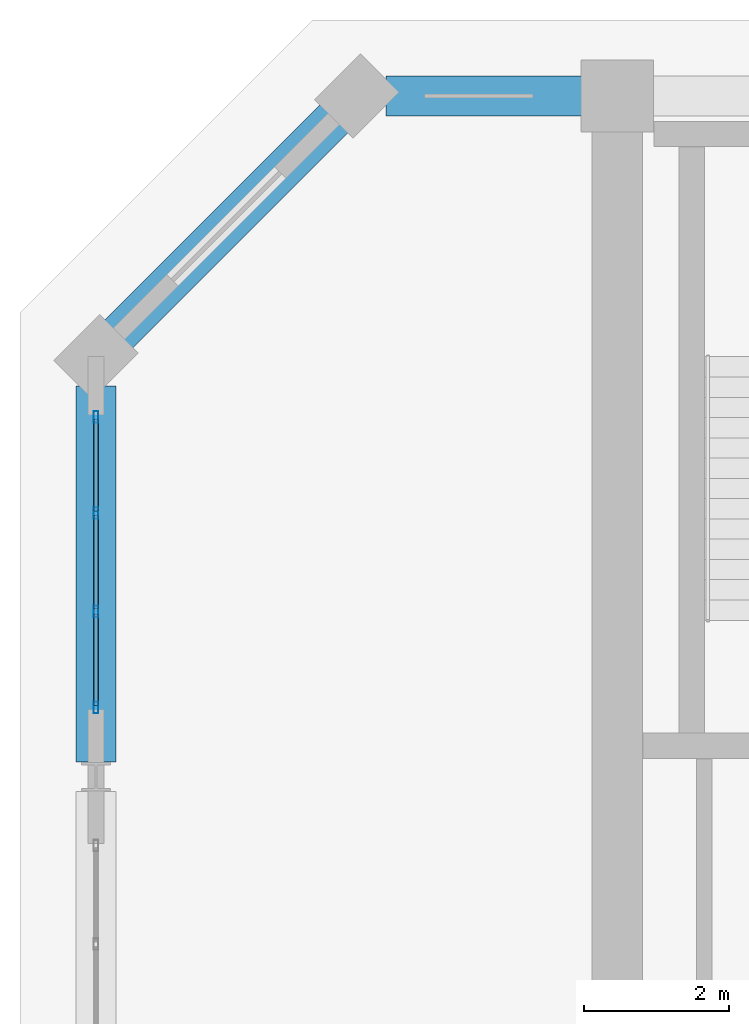
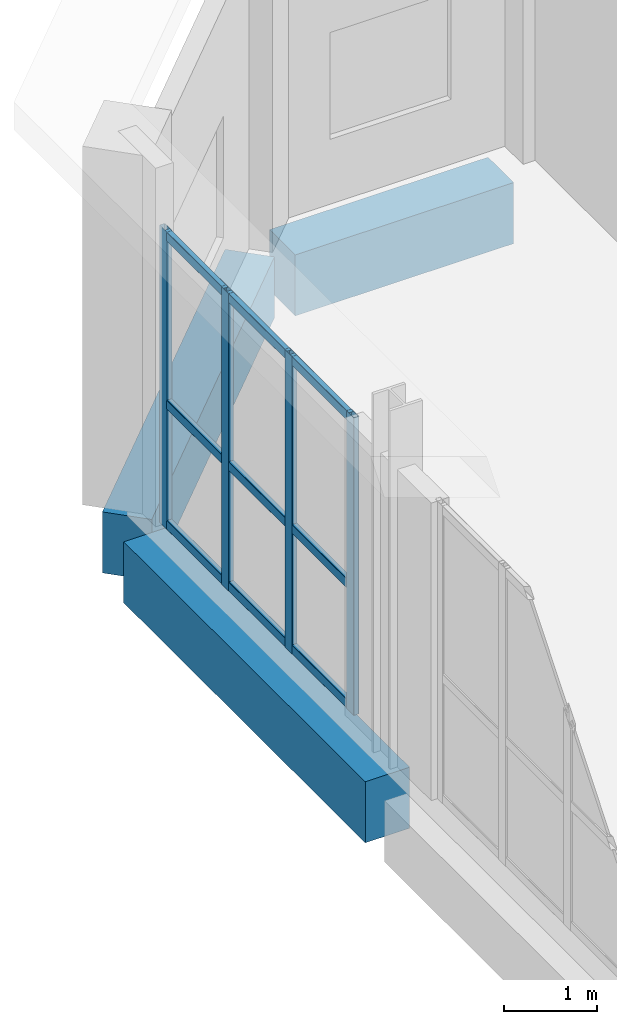
# One storey, part 20 of 36: 13 members, 3 beams, 1 element without a shape of its own.
"""IFC4 building model written with IfcOpenShell, lengths in metres."""

from ifc_helpers import new_model, si_unit, direction, frame, origin, origin_2d, place, context, subcontext, project, spatial, rectangle, hollow_rectangle, extrude, material, layer, layer_set, material_profile, profile_set, type_object, element, aggregate, save


model = new_model("IFC4")

# Units and contexts
model_context = context("Model", 3, precision=1e-05, world=origin(), true_north=direction((0.0, 1.0)))
body_context = subcontext(model_context, "Body", "Model", "MODEL_VIEW")
ifc_project = project(units=[si_unit("LENGTHUNIT", "METRE"), si_unit("AREAUNIT", "SQUARE_METRE"), si_unit("VOLUMEUNIT", "CUBIC_METRE"), si_unit("PLANEANGLEUNIT", "RADIAN"), si_unit("MASSUNIT", "GRAM", prefix="KILO")], contexts=[model_context])

# Site, building, storey
site_placement = place(None, origin())
site = spatial("IfcSite", under=ifc_project, at=site_placement, CompositionType="ELEMENT")
building_placement = place(site_placement, origin())
building = spatial("IfcBuilding", under=site, at=building_placement, Name="Kaelvorn Grand Hotel", CompositionType="ELEMENT")
storey_placement = place(building_placement, frame((0.0, 0.0, 305.699951171875)))
storey = spatial("IfcBuildingStorey", under=building, at=storey_placement, Name="L74", CompositionType="ELEMENT", Elevation=305.699951171875)

# Beams
ifc_material_1 = material(Name="Concrete C50/60", Category="concrete")
ifc_material_profile_1 = material_profile(ifc_material_1, rectangle(XDim=0.550048828125, YDim=0.800048828125, at=origin_2d()), Name="RC SPANDREL 550x800")
ifc_profile_set_1 = profile_set([ifc_material_profile_1], Name="Concrete C50/60")
beam_type = type_object("IfcBeamType", Name="BM-SP-550x800-C50", PredefinedType="SPANDREL", material=ifc_profile_set_1)
beam_1_placement = place(storey_placement, frame((13.0048828125, 49.0, -0.780029296875), z_axis=(1.0, 0.0, 0.0), x_axis=(0.0, 1.0, 0.0)))
element("IfcBeam", 1, at=beam_1_placement, inside=storey, type_object=beam_type, Name="L74 North Perimeter Spandrel 01", PredefinedType="SPANDREL", context=body_context, shape_type="SweptSolid", body=[
    extrude(rectangle(XDim=0.550048828125, YDim=0.800048828125, at=origin_2d()), origin(), (0.0, 0.0, 1.0), 2.710205078125),
])
beam_2_placement = place(storey_placement, frame((9.0, 39.804931640625, -0.780029296875), z_axis=(0.0, 1.0, 0.0), x_axis=(-1.0, 0.0, 0.0)))
element("IfcBeam", 2, at=beam_2_placement, inside=storey, type_object=beam_type, Name="L74 West Perimeter Spandrel 04", PredefinedType="SPANDREL", context=body_context, shape_type="SweptSolid", body=[
    extrude(rectangle(XDim=0.550048828125, YDim=0.800048828125, at=origin_2d()), origin(), (0.0, 0.0, 1.0), 5.190185546875),
])
beam_3_placement = place(storey_placement, frame((12.60009765625, 49.0, -0.780029296875), z_axis=(-0.707106781187, -0.707106781187, 0.0), x_axis=(0.707106781187, -0.707106781187, 0.0)))
element("IfcBeam", 3, at=beam_3_placement, inside=storey, type_object=beam_type, Name="L74 Chamfer Spandrel Beam 3", PredefinedType="SPANDREL", context=body_context, shape_type="SweptSolid", body=[
    extrude(rectangle(XDim=0.550048828125, YDim=0.800048828125, at=origin_2d()), origin(), (0.0, 0.0, 1.0), 5.09130859375),
])

# Curtain wall, members
ifc_material_2 = material(Name="Anodised Aluminium", Category="aluminium")
ifc_layer = layer(ifc_material_2, 0.159912109375)
ifc_layer_set = layer_set([ifc_layer], Name="Anodised Aluminium")
curtain_wall_type = type_object("IfcCurtainWallType", Name="CW-SYS6", PredefinedType="NOTDEFINED", material=ifc_layer_set)
curtain_wall_placement = place(storey_placement, origin())
curtain_wall = element("IfcCurtainWall", 4, at=curtain_wall_placement, inside=storey, type_object=curtain_wall_type, Name="L74 Unitised Curtain Wall CW6 (CW-L74-W-05)", PredefinedType="NOTDEFINED")
ifc_material_profile_2 = material_profile(ifc_material_2, hollow_rectangle(XDim=0.06494140625, YDim=0.159912109375, WallThickness=0.00341796875, InnerFilletRadius=0.00341796875, OuterFilletRadius=0.007080078125, at=origin_2d()), Name="ALU MULL 65x160")
ifc_profile_set_2 = profile_set([ifc_material_profile_2], Name="Anodised Aluminium")
member_type_1 = type_object("IfcMemberType", Name="CW-SYS6-MULL", PredefinedType="MULLION", material=ifc_profile_set_2)
member_1_placement = place(storey_placement, frame((9.0, 44.5673828125, 0.0), z_axis=(0.0, 0.0, 1.0), x_axis=(1.0, 0.0, 0.0)))
member_1 = element("IfcMember", 5, at=member_1_placement, type_object=member_type_1, Name="CW6 mullion 1", PredefinedType="MULLION", context=body_context, shape_type="SweptSolid", body=[
    extrude(hollow_rectangle(XDim=0.06494140625, YDim=0.159912109375, WallThickness=0.00341796875, InnerFilletRadius=0.00341796875, OuterFilletRadius=0.007080078125, at=origin_2d()), origin(), (0.0, 0.0, 1.0), 3.900146484375),
])
member_2_placement = place(storey_placement, frame((9.0, 43.239990234375, 0.0), z_axis=(0.0, 0.0, 1.0), x_axis=(1.0, 0.0, 0.0)))
member_2 = element("IfcMember", 6, at=member_2_placement, type_object=member_type_1, Name="CW6 mullion 2", PredefinedType="MULLION", context=body_context, shape_type="SweptSolid", body=[
    extrude(hollow_rectangle(XDim=0.06494140625, YDim=0.159912109375, WallThickness=0.00341796875, InnerFilletRadius=0.00341796875, OuterFilletRadius=0.007080078125, at=origin_2d()), origin(), (0.0, 0.0, 1.0), 3.900146484375),
])
member_3_placement = place(storey_placement, frame((9.0, 41.8798828125, 0.0), z_axis=(0.0, 0.0, 1.0), x_axis=(1.0, 0.0, 0.0)))
member_3 = element("IfcMember", 7, at=member_3_placement, type_object=member_type_1, Name="CW6 mullion 3", PredefinedType="MULLION", context=body_context, shape_type="SweptSolid", body=[
    extrude(hollow_rectangle(XDim=0.06494140625, YDim=0.159912109375, WallThickness=0.00341796875, InnerFilletRadius=0.00341796875, OuterFilletRadius=0.007080078125, at=origin_2d()), origin(), (0.0, 0.0, 1.0), 3.900146484375),
])
member_4_placement = place(storey_placement, frame((9.0, 40.552490234375, 0.0), z_axis=(0.0, 0.0, 1.0), x_axis=(1.0, 0.0, 0.0)))
member_4 = element("IfcMember", 8, at=member_4_placement, type_object=member_type_1, Name="CW6 mullion 4", PredefinedType="MULLION", context=body_context, shape_type="SweptSolid", body=[
    extrude(hollow_rectangle(XDim=0.06494140625, YDim=0.159912109375, WallThickness=0.00341796875, InnerFilletRadius=0.00341796875, OuterFilletRadius=0.007080078125, at=origin_2d()), origin(), (0.0, 0.0, 1.0), 3.900146484375),
])
ifc_material_profile_3 = material_profile(ifc_material_2, hollow_rectangle(XDim=0.06494140625, YDim=0.1201171875, WallThickness=0.00341796875, InnerFilletRadius=0.00341796875, OuterFilletRadius=0.007080078125, at=origin_2d()), Name="ALU TRAN 65x120")
ifc_profile_set_3 = profile_set([ifc_material_profile_3], Name="Anodised Aluminium")
member_type_2 = type_object("IfcMemberType", Name="CW-SYS6-TRAN", PredefinedType="NOTDEFINED", material=ifc_profile_set_3)
member_5_placement = place(storey_placement, frame((9.0, 44.534912109375, 0.06005859375), z_axis=(0.0, -1.0, 0.0), x_axis=(1.0, 0.0, 0.0)))
member_5 = element("IfcMember", 9, at=member_5_placement, type_object=member_type_2, Name="CW6 transom 1.1", ObjectType="TRANSOM", PredefinedType="USERDEFINED", context=body_context, shape_type="SweptSolid", body=[
    extrude(hollow_rectangle(XDim=0.06494140625, YDim=0.1201171875, WallThickness=0.00341796875, InnerFilletRadius=0.00341796875, OuterFilletRadius=0.007080078125, at=origin_2d()), origin(), (0.0, 0.0, 1.0), 1.262451171875),
])
member_6_placement = place(storey_placement, frame((9.0, 44.534912109375, 1.637939453125), z_axis=(0.0, -1.0, 0.0), x_axis=(1.0, 0.0, 0.0)))
member_6 = element("IfcMember", 10, at=member_6_placement, type_object=member_type_2, Name="CW6 transom 1.2", ObjectType="TRANSOM", PredefinedType="USERDEFINED", context=body_context, shape_type="SweptSolid", body=[
    extrude(hollow_rectangle(XDim=0.06494140625, YDim=0.1201171875, WallThickness=0.00341796875, InnerFilletRadius=0.00341796875, OuterFilletRadius=0.007080078125, at=origin_2d()), origin(), (0.0, 0.0, 1.0), 1.262451171875),
])
member_7_placement = place(storey_placement, frame((9.0, 44.534912109375, 3.840087890625), z_axis=(0.0, -1.0, 0.0), x_axis=(1.0, 0.0, 0.0)))
member_7 = element("IfcMember", 11, at=member_7_placement, type_object=member_type_2, Name="CW6 transom 1.3", ObjectType="TRANSOM", PredefinedType="USERDEFINED", context=body_context, shape_type="SweptSolid", body=[
    extrude(hollow_rectangle(XDim=0.06494140625, YDim=0.1201171875, WallThickness=0.00341796875, InnerFilletRadius=0.00341796875, OuterFilletRadius=0.007080078125, at=origin_2d()), origin(), (0.0, 0.0, 1.0), 1.262451171875),
])
member_8_placement = place(storey_placement, frame((9.0, 43.20751953125, 0.06005859375), z_axis=(0.0, -1.0, 0.0), x_axis=(1.0, 0.0, 0.0)))
member_8 = element("IfcMember", 12, at=member_8_placement, type_object=member_type_2, Name="CW6 transom 2.1", ObjectType="TRANSOM", PredefinedType="USERDEFINED", context=body_context, shape_type="SweptSolid", body=[
    extrude(hollow_rectangle(XDim=0.06494140625, YDim=0.1201171875, WallThickness=0.00341796875, InnerFilletRadius=0.00341796875, OuterFilletRadius=0.007080078125, at=origin_2d()), origin(), (0.0, 0.0, 1.0), 1.294921875),
])
member_9_placement = place(storey_placement, frame((9.0, 43.20751953125, 1.637939453125), z_axis=(0.0, -1.0, 0.0), x_axis=(1.0, 0.0, 0.0)))
member_9 = element("IfcMember", 13, at=member_9_placement, type_object=member_type_2, Name="CW6 transom 2.2", ObjectType="TRANSOM", PredefinedType="USERDEFINED", context=body_context, shape_type="SweptSolid", body=[
    extrude(hollow_rectangle(XDim=0.06494140625, YDim=0.1201171875, WallThickness=0.00341796875, InnerFilletRadius=0.00341796875, OuterFilletRadius=0.007080078125, at=origin_2d()), origin(), (0.0, 0.0, 1.0), 1.294921875),
])
member_10_placement = place(storey_placement, frame((9.0, 43.20751953125, 3.840087890625), z_axis=(0.0, -1.0, 0.0), x_axis=(1.0, 0.0, 0.0)))
member_10 = element("IfcMember", 14, at=member_10_placement, type_object=member_type_2, Name="CW6 transom 2.3", ObjectType="TRANSOM", PredefinedType="USERDEFINED", context=body_context, shape_type="SweptSolid", body=[
    extrude(hollow_rectangle(XDim=0.06494140625, YDim=0.1201171875, WallThickness=0.00341796875, InnerFilletRadius=0.00341796875, OuterFilletRadius=0.007080078125, at=origin_2d()), origin(), (0.0, 0.0, 1.0), 1.294921875),
])
member_11_placement = place(storey_placement, frame((9.0, 41.847412109375, 0.06005859375), z_axis=(0.0, -1.0, 0.0), x_axis=(1.0, 0.0, 0.0)))
member_11 = element("IfcMember", 15, at=member_11_placement, type_object=member_type_2, Name="CW6 transom 3.1", ObjectType="TRANSOM", PredefinedType="USERDEFINED", context=body_context, shape_type="SweptSolid", body=[
    extrude(hollow_rectangle(XDim=0.06494140625, YDim=0.1201171875, WallThickness=0.00341796875, InnerFilletRadius=0.00341796875, OuterFilletRadius=0.007080078125, at=origin_2d()), origin(), (0.0, 0.0, 1.0), 1.262451171875),
])
member_12_placement = place(storey_placement, frame((9.0, 41.847412109375, 1.637939453125), z_axis=(0.0, -1.0, 0.0), x_axis=(1.0, 0.0, 0.0)))
member_12 = element("IfcMember", 16, at=member_12_placement, type_object=member_type_2, Name="CW6 transom 3.2", ObjectType="TRANSOM", PredefinedType="USERDEFINED", context=body_context, shape_type="SweptSolid", body=[
    extrude(hollow_rectangle(XDim=0.06494140625, YDim=0.1201171875, WallThickness=0.00341796875, InnerFilletRadius=0.00341796875, OuterFilletRadius=0.007080078125, at=origin_2d()), origin(), (0.0, 0.0, 1.0), 1.262451171875),
])
member_13_placement = place(storey_placement, frame((9.0, 41.847412109375, 3.840087890625), z_axis=(0.0, -1.0, 0.0), x_axis=(1.0, 0.0, 0.0)))
member_13 = element("IfcMember", 17, at=member_13_placement, type_object=member_type_2, Name="CW6 transom 3.3", ObjectType="TRANSOM", PredefinedType="USERDEFINED", context=body_context, shape_type="SweptSolid", body=[
    extrude(hollow_rectangle(XDim=0.06494140625, YDim=0.1201171875, WallThickness=0.00341796875, InnerFilletRadius=0.00341796875, OuterFilletRadius=0.007080078125, at=origin_2d()), origin(), (0.0, 0.0, 1.0), 1.262451171875),
])
aggregate(curtain_wall, [member_1, member_2, member_3, member_4, member_5, member_6, member_7, member_8, member_9, member_10, member_11, member_12, member_13])

save(model, "model.ifc")
